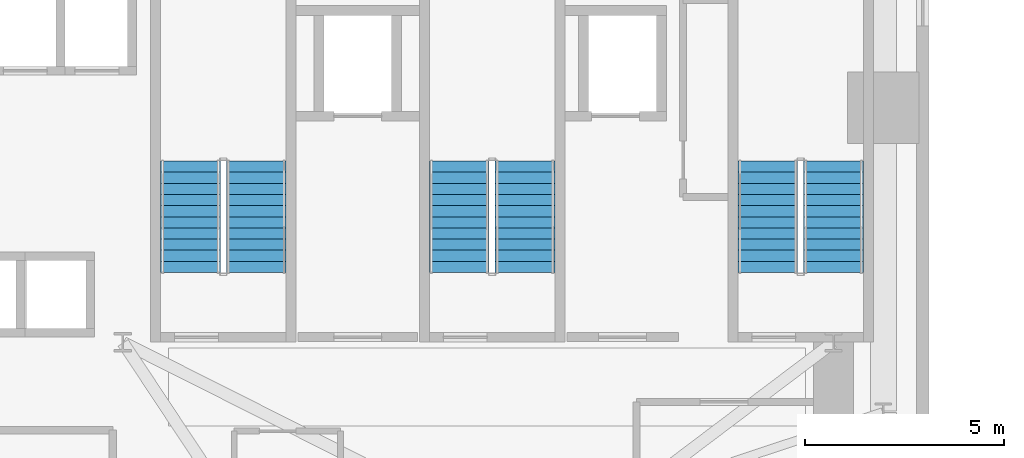
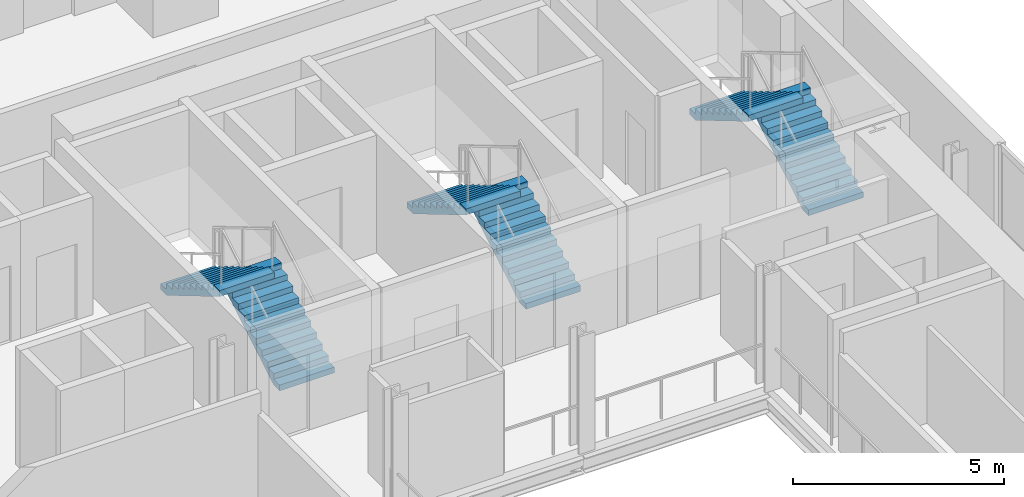
# One storey, part 9 of 13: 6 stair flights, 3 elements without a shape of their own.
"""IFC4 building model written with IfcOpenShell, lengths in metres."""

from ifc_helpers import new_model, si_unit, direction, frame, origin, place, context, subcontext, project, spatial, polyline, outline, extrude, source, transform, mapped, material, type_object, element, aggregate, save


model = new_model("IFC4")

# Units and contexts
model_context = context("Model", 3, precision=1e-05, world=origin(), true_north=direction((0.0, 1.0)))
body_context = subcontext(model_context, "Body", "Model", "MODEL_VIEW")
ifc_project = project(units=[si_unit("LENGTHUNIT", "METRE"), si_unit("AREAUNIT", "SQUARE_METRE"), si_unit("VOLUMEUNIT", "CUBIC_METRE"), si_unit("PLANEANGLEUNIT", "RADIAN"), si_unit("MASSUNIT", "GRAM", prefix="KILO")], contexts=[model_context])

# Site, building, storey
site_placement = place(None, origin())
site = spatial("IfcSite", under=ifc_project, at=site_placement, CompositionType="ELEMENT")
building_placement = place(site_placement, origin())
building = spatial("IfcBuilding", under=site, at=building_placement, Name="Vardaveli Station Tower", CompositionType="ELEMENT")
storey_placement = place(building_placement, frame((0.0, 0.0, 64.10009765625)))
storey = spatial("IfcBuildingStorey", under=building, at=storey_placement, Name="L16", CompositionType="ELEMENT", Elevation=64.10009765625)

# Stair, stair flights
ifc_material = material(Name="Concrete C40/50", Category="concrete")
stair_type = type_object("IfcStairType", Name="STR-CORE-1500", PredefinedType="HALF_TURN_STAIR", material=ifc_material)
stair_1_placement = place(storey_placement, origin())
stair_1 = element("IfcStair", 1, at=stair_1_placement, inside=storey, type_object=stair_type, Name="L16 ST-1", PredefinedType="HALF_TURN_STAIR")
stair_flight_type = type_object("IfcStairFlightType", Name="SFL-CORE-1500", PredefinedType="STRAIGHT", material=ifc_material)
shared_shape = source(origin(), body_context, "Body", "SweptSolid", [
    extrude(outline(polyline([(0.0, 0.0), (0.0, 0.166015625), (0.280029296875, 0.166015625), (0.280029296875, 0.331787109375), (0.56005859375, 0.331787109375), (0.56005859375, 0.497802734375), (0.840087890625, 0.497802734375), (0.840087890625, 0.66357421875), (1.1201171875, 0.66357421875), (1.1201171875, 0.82958984375), (1.39990234375, 0.82958984375), (1.39990234375, 0.995361328125), (1.679931640625, 0.995361328125), (1.679931640625, 1.161376953125), (1.9599609375, 1.161376953125), (1.9599609375, 1.327392578125), (2.239990234375, 1.327392578125), (2.239990234375, 1.4931640625), (2.52001953125, 1.4931640625), (2.52001953125, 1.6591796875), (2.800048828125, 1.6591796875), (2.800048828125, 1.824951171875), (2.800048828125, 1.48486328125), (0.2939453125, 0.0), (0.0, 0.0)])), frame((0.0, 0.75, 0.0), z_axis=(0.0, -1.0, 0.0), x_axis=(1.0, 0.0, 0.0)), (0.0, 0.0, 1.0), 1.5),
])
stair_flight_1_placement = place(storey_placement, frame((32.0, 32.39990234375, 0.0), z_axis=(0.0, 0.0, 1.0), x_axis=(0.0, 1.0, 0.0)))
stair_flight_1 = element("IfcStairFlight", 2, at=stair_flight_1_placement, type_object=stair_flight_type, Name="ST-1 flight 1", NumberOfRisers=11, NumberOfTreads=10, PredefinedType="STRAIGHT", RiserHeight=0.165909091, TreadLength=0.28, context=body_context, shape_type="MappedRepresentation", body=[
    mapped(shared_shape, transform((0.0, 0.0, 0.0), scale=1.0)),
])
stair_flight_2_placement = place(storey_placement, frame((30.35009765625, 35.199951171875, 1.824951171875), z_axis=(0.0, 0.0, 1.0), x_axis=(0.0, -1.0, 0.0)))
stair_flight_2 = element("IfcStairFlight", 3, at=stair_flight_2_placement, type_object=stair_flight_type, Name="ST-1 flight 2", NumberOfRisers=11, NumberOfTreads=10, PredefinedType="STRAIGHT", RiserHeight=0.165909091, TreadLength=0.28, context=body_context, shape_type="MappedRepresentation", body=[
    mapped(shared_shape, transform((0.0, 0.0, 0.0), scale=1.0)),
])
aggregate(stair_1, [stair_flight_1, stair_flight_2])

stair_2_placement = place(storey_placement, origin())
stair_2 = element("IfcStair", 4, at=stair_2_placement, inside=storey, type_object=stair_type, Name="L16 ST-2", PredefinedType="HALF_TURN_STAIR")
stair_flight_3_placement = place(storey_placement, frame((38.75, 32.39990234375, 0.0), z_axis=(0.0, 0.0, 1.0), x_axis=(0.0, 1.0, 0.0)))
stair_flight_3 = element("IfcStairFlight", 5, at=stair_flight_3_placement, type_object=stair_flight_type, Name="ST-2 flight 1", NumberOfRisers=11, NumberOfTreads=10, PredefinedType="STRAIGHT", RiserHeight=0.165909091, TreadLength=0.28, context=body_context, shape_type="MappedRepresentation", body=[
    mapped(shared_shape, transform((0.0, 0.0, 0.0), scale=1.0)),
])
stair_flight_4_placement = place(storey_placement, frame((37.10009765625, 35.199951171875, 1.824951171875), z_axis=(0.0, 0.0, 1.0), x_axis=(0.0, -1.0, 0.0)))
stair_flight_4 = element("IfcStairFlight", 6, at=stair_flight_4_placement, type_object=stair_flight_type, Name="ST-2 flight 2", NumberOfRisers=11, NumberOfTreads=10, PredefinedType="STRAIGHT", RiserHeight=0.165909091, TreadLength=0.28, context=body_context, shape_type="MappedRepresentation", body=[
    mapped(shared_shape, transform((0.0, 0.0, 0.0), scale=1.0)),
])
aggregate(stair_2, [stair_flight_3, stair_flight_4])

stair_3_placement = place(storey_placement, origin())
stair_3 = element("IfcStair", 7, at=stair_3_placement, inside=storey, type_object=stair_type, Name="L16 ST-3", PredefinedType="HALF_TURN_STAIR")
stair_flight_5_placement = place(storey_placement, frame((46.5, 32.39990234375, 0.0), z_axis=(0.0, 0.0, 1.0), x_axis=(0.0, 1.0, 0.0)))
stair_flight_5 = element("IfcStairFlight", 8, at=stair_flight_5_placement, type_object=stair_flight_type, Name="ST-3 flight 1", NumberOfRisers=11, NumberOfTreads=10, PredefinedType="STRAIGHT", RiserHeight=0.165909091, TreadLength=0.28, context=body_context, shape_type="MappedRepresentation", body=[
    mapped(shared_shape, transform((0.0, 0.0, 0.0), scale=1.0)),
])
stair_flight_6_placement = place(storey_placement, frame((44.85009765625, 35.199951171875, 1.824951171875), z_axis=(0.0, 0.0, 1.0), x_axis=(0.0, -1.0, 0.0)))
stair_flight_6 = element("IfcStairFlight", 9, at=stair_flight_6_placement, type_object=stair_flight_type, Name="ST-3 flight 2", NumberOfRisers=11, NumberOfTreads=10, PredefinedType="STRAIGHT", RiserHeight=0.165909091, TreadLength=0.28, context=body_context, shape_type="MappedRepresentation", body=[
    mapped(shared_shape, transform((0.0, 0.0, 0.0), scale=1.0)),
])
aggregate(stair_3, [stair_flight_5, stair_flight_6])

save(model, "model.ifc")
